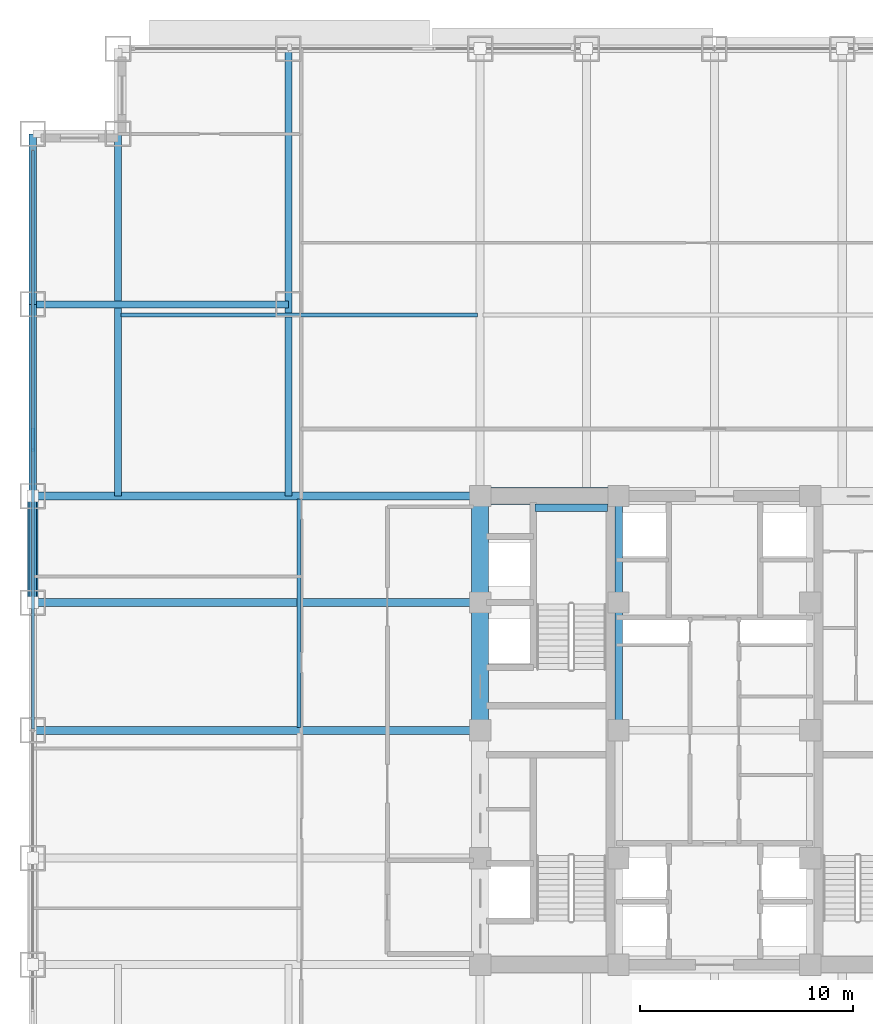
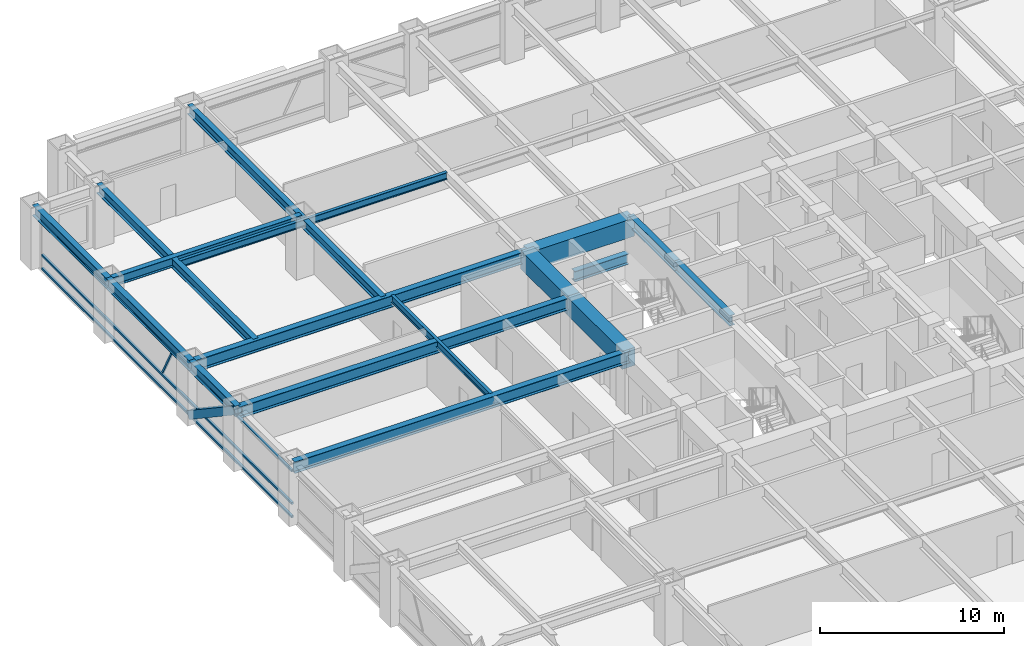
# One storey, part 9 of 32: 17 beams, 5 members, 1 element without a shape of its own.
"""IFC4 building model written with IfcOpenShell, lengths in metres."""

from ifc_helpers import new_model, si_unit, direction, frame, origin, origin_2d, place, context, subcontext, project, spatial, rectangle, hollow_rectangle, i_section, extrude, source, transform, mapped, material, material_profile, profile_set, type_object, element, aggregate, save


model = new_model("IFC4")

# Units and contexts
model_context = context("Model", 3, precision=1e-05, world=origin(), true_north=direction((0.0, 1.0)))
body_context = subcontext(model_context, "Body", "Model", "MODEL_VIEW")
ifc_project = project(units=[si_unit("LENGTHUNIT", "METRE"), si_unit("AREAUNIT", "SQUARE_METRE"), si_unit("VOLUMEUNIT", "CUBIC_METRE"), si_unit("PLANEANGLEUNIT", "RADIAN"), si_unit("MASSUNIT", "GRAM", prefix="KILO")], contexts=[model_context])

# Site, building, storey
site_placement = place(None, origin())
site = spatial("IfcSite", under=ifc_project, at=site_placement, CompositionType="ELEMENT")
building_placement = place(site_placement, origin())
building = spatial("IfcBuilding", under=site, at=building_placement, Name="Khorayat Bourse Tower", CompositionType="ELEMENT")
storey_placement = place(building_placement, frame((0.0, 0.0, 99.60009765625)))
storey = spatial("IfcBuildingStorey", under=building, at=storey_placement, Name="L22", CompositionType="ELEMENT", Elevation=99.60009765625)

# Beams
ifc_material_1 = material(Name="Concrete C72/90", Category="concrete")
ifc_material_profile_1 = material_profile(ifc_material_1, rectangle(XDim=0.800048828125, YDim=1.199951171875, at=origin_2d()), Name="RC 800x1200")
ifc_profile_set_1 = profile_set([ifc_material_profile_1], Name="Concrete C72/90")
beam_type_1 = type_object("IfcBeamType", Name="BM-COUP-1200", PredefinedType="BEAM", material=ifc_profile_set_1)
shared_shape_1 = source(origin(), body_context, "Body", "SweptSolid", [
    extrude(rectangle(XDim=0.800048828125, YDim=1.199951171875, at=origin_2d()), origin(), (0.0, 0.0, 1.0), 5.0),
])
beam_1_placement = place(storey_placement, frame((-11.0, 6.0, 3.239990234375), z_axis=(0.0, 1.0, 0.0), x_axis=(-1.0, 0.0, 0.0)))
element("IfcBeam", 1, at=beam_1_placement, inside=storey, type_object=beam_type_1, Name="L22 BM-COUP-1200 BM-L22-CRX-04", PredefinedType="BEAM", context=body_context, shape_type="MappedRepresentation", body=[
    mapped(shared_shape_1, transform((0.0, 0.0, 0.0), scale=1.0)),
])
shared_shape_2 = source(origin(), body_context, "Body", "SweptSolid", [
    extrude(rectangle(XDim=0.800048828125, YDim=1.199951171875, at=origin_2d()), origin(), (0.0, 0.0, 1.0), 6.0),
])
beam_2_placement = place(storey_placement, frame((-11.0, 0.0, 3.239990234375), z_axis=(0.0, 1.0, 0.0), x_axis=(-1.0, 0.0, 0.0)))
element("IfcBeam", 2, at=beam_2_placement, inside=storey, type_object=beam_type_1, Name="L22 BM-COUP-1200 BM-L22-CRX-03", PredefinedType="BEAM", context=body_context, shape_type="MappedRepresentation", body=[
    mapped(shared_shape_2, transform((0.0, 0.0, 0.0), scale=1.0)),
])
ifc_material_2 = material(Name="Steel ASTM A992 Grade 50", Category="steel")
ifc_material_profile_2 = material_profile(ifc_material_2, i_section(OverallWidth=0.35498046875, OverallDepth=0.695068359375, WebThickness=0.015380859375, FlangeThickness=0.02490234375, FilletRadius=0.01806640625, at=origin_2d()), Name="W690X217")
ifc_profile_set_2 = profile_set([ifc_material_profile_2], Name="Steel ASTM A992 Grade 50")
beam_type_2 = type_object("IfcBeamType", Name="BM-GIRD-690", PredefinedType="BEAM", material=ifc_profile_set_2)
shared_shape_3 = source(origin(), body_context, "Body", "SweptSolid", [
    extrude(i_section(OverallWidth=0.35498046875, OverallDepth=0.695068359375, WebThickness=0.015380859375, FlangeThickness=0.02490234375, FilletRadius=0.01806640625, at=origin_2d()), origin(), (0.0, 0.0, 1.0), 5.0),
])
beam_3_placement = place(storey_placement, frame((-4.5, 6.0, 3.492431640625), z_axis=(0.0, 1.0, 0.0), x_axis=(-1.0, 0.0, 0.0)))
element("IfcBeam", 3, at=beam_3_placement, inside=storey, type_object=beam_type_2, Name="L22 BM-GIRD-690 BM-L22-CRX-08", PredefinedType="BEAM", context=body_context, shape_type="MappedRepresentation", body=[
    mapped(shared_shape_3, transform((0.0, 0.0, 0.0), scale=1.0)),
])
shared_shape_4 = source(origin(), body_context, "Body", "SweptSolid", [
    extrude(i_section(OverallWidth=0.35498046875, OverallDepth=0.695068359375, WebThickness=0.015380859375, FlangeThickness=0.02490234375, FilletRadius=0.01806640625, at=origin_2d()), origin(), (0.0, 0.0, 1.0), 6.0),
])
beam_4_placement = place(storey_placement, frame((-4.5, 0.0, 3.492431640625), z_axis=(0.0, 1.0, 0.0), x_axis=(-1.0, 0.0, 0.0)))
element("IfcBeam", 4, at=beam_4_placement, inside=storey, type_object=beam_type_2, Name="L22 BM-GIRD-690 BM-L22-CRX-07", PredefinedType="BEAM", context=body_context, shape_type="MappedRepresentation", body=[
    mapped(shared_shape_4, transform((0.0, 0.0, 0.0), scale=1.0)),
])
shared_shape_5 = source(origin(), body_context, "Body", "SweptSolid", [
    extrude(rectangle(XDim=0.800048828125, YDim=1.199951171875, at=origin_2d()), origin(), (0.0, 0.0, 1.0), 6.5),
])
beam_5_placement = place(storey_placement, frame((-11.0, 11.0, 3.239990234375), z_axis=(1.0, 0.0, 0.0), x_axis=(0.0, 1.0, 0.0)))
element("IfcBeam", 5, at=beam_5_placement, inside=storey, type_object=beam_type_1, Name="L22 BM-COUP-1200 BM-L22-CRY-20", PredefinedType="BEAM", context=body_context, shape_type="MappedRepresentation", body=[
    mapped(shared_shape_5, transform((0.0, 0.0, 0.0), scale=1.0)),
])
shared_shape_6 = source(origin(), body_context, "Body", "SweptSolid", [
    extrude(i_section(OverallWidth=0.35498046875, OverallDepth=0.695068359375, WebThickness=0.015380859375, FlangeThickness=0.02490234375, FilletRadius=0.01806640625, at=origin_2d()), origin(), (0.0, 0.0, 1.0), 3.39990234375),
])
beam_6_placement = place(storey_placement, frame((-8.419921875, 10.449951171875, 1.50244140625), z_axis=(1.0, 0.0, 0.0), x_axis=(0.0, 1.0, 0.0)))
element("IfcBeam", 6, at=beam_6_placement, inside=storey, type_object=beam_type_2, Name="L22 BM-GIRD-690 BM-L22-ST2L", PredefinedType="BEAM", context=body_context, shape_type="MappedRepresentation", body=[
    mapped(shared_shape_6, transform((0.0, 0.0, 0.0), scale=1.0)),
])
ifc_material_profile_3 = material_profile(ifc_material_2, i_section(OverallWidth=0.35498046875, OverallDepth=0.695068359375, WebThickness=0.015380859375, FlangeThickness=0.02490234375, FilletRadius=0.01806640625, at=origin_2d()), Name="W690X217")
ifc_profile_set_3 = profile_set([ifc_material_profile_3], Name="Steel ASTM A992 Grade 50")
beam_type_3 = type_object("IfcBeamType", Name="BM-SPAN-690", PredefinedType="SPANDREL", material=ifc_profile_set_3)
shared_shape_7 = source(origin(), body_context, "Body", "SweptSolid", [
    extrude(i_section(OverallWidth=0.35498046875, OverallDepth=0.695068359375, WebThickness=0.015380859375, FlangeThickness=0.02490234375, FilletRadius=0.01806640625, at=origin_2d()), origin(), (0.0, 0.0, 1.0), 9.0),
])
beam_7_placement = place(storey_placement, frame((-32.0, 11.0, 3.492431640625), z_axis=(0.0, 1.0, 0.0), x_axis=(-1.0, 0.0, 0.0)))
element("IfcBeam", 7, at=beam_7_placement, inside=storey, type_object=beam_type_3, Name="L22 BM-SPAN-690 BM-L22-SPN-055", PredefinedType="SPANDREL", context=body_context, shape_type="MappedRepresentation", body=[
    mapped(shared_shape_7, transform((0.0, 0.0, 0.0), scale=1.0)),
])
shared_shape_8 = source(origin(), body_context, "Body", "SweptSolid", [
    extrude(i_section(OverallWidth=0.35498046875, OverallDepth=0.695068359375, WebThickness=0.015380859375, FlangeThickness=0.02490234375, FilletRadius=0.01806640625, at=origin_2d()), origin(), (0.0, 0.0, 1.0), 5.0),
])
beam_8_placement = place(storey_placement, frame((-32.0, 6.0, 3.492431640625), z_axis=(0.0, 1.0, 0.0), x_axis=(-1.0, 0.0, 0.0)))
element("IfcBeam", 8, at=beam_8_placement, inside=storey, type_object=beam_type_3, Name="L22 BM-SPAN-690 BM-L22-SPN-056", PredefinedType="SPANDREL", context=body_context, shape_type="MappedRepresentation", body=[
    mapped(shared_shape_8, transform((0.0, 0.0, 0.0), scale=1.0)),
])
ifc_material_profile_4 = material_profile(ifc_material_2, i_section(OverallWidth=0.324951171875, OverallDepth=0.615966796875, WebThickness=0.013916015625, FlangeThickness=0.021484375, FilletRadius=0.01611328125, at=origin_2d()), Name="W610X174")
ifc_profile_set_4 = profile_set([ifc_material_profile_4], Name="Steel ASTM A992 Grade 50")
beam_type_4 = type_object("IfcBeamType", Name="BM-GIRD-610", PredefinedType="BEAM", material=ifc_profile_set_4)
shared_shape_9 = source(origin(), body_context, "Body", "SweptSolid", [
    extrude(i_section(OverallWidth=0.324951171875, OverallDepth=0.615966796875, WebThickness=0.013916015625, FlangeThickness=0.021484375, FilletRadius=0.01611328125, at=origin_2d()), origin(), (0.0, 0.0, 1.0), 21.0),
])
beam_9_placement = place(storey_placement, frame((-20.0, 11.0, 3.531982421875), z_axis=(0.0, 1.0, 0.0), x_axis=(-1.0, 0.0, 0.0)))
element("IfcBeam", 9, at=beam_9_placement, inside=storey, type_object=beam_type_4, Name="L22 BM-GIRD-610 BM-L22-CNRY-085", PredefinedType="BEAM", context=body_context, shape_type="MappedRepresentation", body=[
    mapped(shared_shape_9, transform((0.0, 0.0, 0.0), scale=1.0)),
])
shared_shape_10 = source(origin(), body_context, "Body", "SweptSolid", [
    extrude(i_section(OverallWidth=0.324951171875, OverallDepth=0.615966796875, WebThickness=0.013916015625, FlangeThickness=0.021484375, FilletRadius=0.01611328125, at=origin_2d()), origin(), (0.0, 0.0, 1.0), 12.0),
])
beam_10_placement = place(storey_placement, frame((-32.0, 20.0, 3.531982421875), z_axis=(1.0, 0.0, 0.0), x_axis=(0.0, 1.0, 0.0)))
element("IfcBeam", 10, at=beam_10_placement, inside=storey, type_object=beam_type_4, Name="L22 BM-GIRD-610 BM-L22-CNRX-095", PredefinedType="BEAM", context=body_context, shape_type="MappedRepresentation", body=[
    mapped(shared_shape_10, transform((0.0, 0.0, 0.0), scale=1.0)),
])
ifc_material_profile_5 = material_profile(ifc_material_2, i_section(OverallWidth=0.194091796875, OverallDepth=0.468994140625, WebThickness=0.0126953125, FlangeThickness=0.0205078125, FilletRadius=0.012939453125, at=origin_2d()), Name="W460X106")
ifc_profile_set_5 = profile_set([ifc_material_profile_5], Name="Steel ASTM A992 Grade 50")
beam_type_5 = type_object("IfcBeamType", Name="BM-JOIST-460", PredefinedType="JOIST", material=ifc_profile_set_5)
shared_shape_11 = source(origin(), body_context, "Body", "SweptSolid", [
    extrude(i_section(OverallWidth=0.194091796875, OverallDepth=0.468994140625, WebThickness=0.0126953125, FlangeThickness=0.0205078125, FilletRadius=0.012939453125, at=origin_2d()), origin(), (0.0, 0.0, 1.0), 10.740234375),
])
beam_11_placement = place(storey_placement, frame((-19.5, 0.1298828125, 3.60546875), z_axis=(0.0, 1.0, 0.0), x_axis=(-1.0, 0.0, 0.0)))
element("IfcBeam", 11, at=beam_11_placement, inside=storey, type_object=beam_type_5, Name="L22 BM-JOIST-460 BM-L22-JSTY-103", PredefinedType="JOIST", context=body_context, shape_type="MappedRepresentation", body=[
    mapped(shared_shape_11, transform((0.0, 0.0, 0.0), scale=1.0)),
])
shared_shape_12 = source(origin(), body_context, "Body", "SweptSolid", [
    extrude(i_section(OverallWidth=0.35498046875, OverallDepth=0.695068359375, WebThickness=0.015380859375, FlangeThickness=0.02490234375, FilletRadius=0.01806640625, at=origin_2d()), origin(), (0.0, 0.0, 1.0), 8.0),
])
beam_12_placement = place(storey_placement, frame((-32.0, 20.0, 3.492431640625), z_axis=(0.0, 1.0, 0.0), x_axis=(-1.0, 0.0, 0.0)))
element("IfcBeam", 12, at=beam_12_placement, inside=storey, type_object=beam_type_3, Name="L22 BM-SPAN-690 BM-L22-SPN-054", PredefinedType="SPANDREL", context=body_context, shape_type="MappedRepresentation", body=[
    mapped(shared_shape_12, transform((0.0, 0.0, 0.0), scale=1.0)),
])
ifc_material_profile_6 = material_profile(ifc_material_2, i_section(OverallWidth=0.381103515625, OverallDepth=0.77294921875, WebThickness=0.0166015625, FlangeThickness=0.027587890625, FilletRadius=0.01806640625, at=origin_2d()), Name="W760X257")
ifc_profile_set_6 = profile_set([ifc_material_profile_6], Name="Steel ASTM A992 Grade 50")
beam_type_6 = type_object("IfcBeamType", Name="BM-GIRD-760", PredefinedType="BEAM", material=ifc_profile_set_6)
shared_shape_13 = source(origin(), body_context, "Body", "SweptSolid", [
    extrude(i_section(OverallWidth=0.381103515625, OverallDepth=0.77294921875, WebThickness=0.0166015625, FlangeThickness=0.027587890625, FilletRadius=0.01806640625, at=origin_2d()), origin(), (0.0, 0.0, 1.0), 21.0),
])
for number, where, z_axis, x_axis, name in (
    (13, (-32.0, 0.0, 3.453369140625), (1.0, 0.0, 0.0), (0.0, 1.0, 0.0), "L22 BM-GIRD-760 BM-L22-RADX-079"),
    (14, (-32.0, 6.0, 3.453369140625), (1.0, 0.0, 0.0), (0.0, 1.0, 0.0), "L22 BM-GIRD-760 BM-L22-RADX-081"),
    (15, (-32.0, 11.0, 3.453369140625), (1.0, 0.0, 0.0), (0.0, 1.0, 0.0), "L22 BM-GIRD-760 BM-L22-RADX-083"),
):
    element("IfcBeam", number, at=place(storey_placement, frame(where, z_axis=z_axis, x_axis=x_axis)), inside=storey, type_object=beam_type_6, Name=name, PredefinedType="BEAM", context=body_context, shape_type="MappedRepresentation", body=[
        mapped(shared_shape_13, transform((0.0, 0.0, 0.0), scale=1.0)),
    ])
shared_shape_14 = source(origin(), body_context, "Body", "SweptSolid", [
    extrude(i_section(OverallWidth=0.324951171875, OverallDepth=0.615966796875, WebThickness=0.013916015625, FlangeThickness=0.021484375, FilletRadius=0.01611328125, at=origin_2d()), origin(), (0.0, 0.0, 1.0), 17.0),
])
beam_13_placement = place(storey_placement, frame((-28.0, 11.0, 3.531982421875), z_axis=(0.0, 1.0, 0.0), x_axis=(-1.0, 0.0, 0.0)))
element("IfcBeam", 16, at=beam_13_placement, inside=storey, type_object=beam_type_4, Name="L22 BM-GIRD-610 BM-L22-CNRY-089", PredefinedType="BEAM", context=body_context, shape_type="MappedRepresentation", body=[
    mapped(shared_shape_14, transform((0.0, 0.0, 0.0), scale=1.0)),
])
shared_shape_15 = source(origin(), body_context, "Body", "SweptSolid", [
    extrude(i_section(OverallWidth=0.194091796875, OverallDepth=0.468994140625, WebThickness=0.0126953125, FlangeThickness=0.0205078125, FilletRadius=0.012939453125, at=origin_2d()), origin(), (0.0, 0.0, 1.0), 16.740234375),
])
beam_14_placement = place(storey_placement, frame((-27.8701171875, 19.5, 3.60546875), z_axis=(1.0, 0.0, 0.0), x_axis=(0.0, 1.0, 0.0)))
element("IfcBeam", 17, at=beam_14_placement, inside=storey, type_object=beam_type_5, Name="L22 BM-JOIST-460 BM-L22-JSTX-099", PredefinedType="JOIST", context=body_context, shape_type="MappedRepresentation", body=[
    mapped(shared_shape_15, transform((0.0, 0.0, 0.0), scale=1.0)),
])

# Member
ifc_material_3 = material(Name="Steel EN 10025-4 S460M", Category="steel")
ifc_material_profile_7 = material_profile(ifc_material_3, hollow_rectangle(XDim=0.5, YDim=0.5, WallThickness=0.028076171875, at=origin_2d()), Name="HSS 500x500x28")
ifc_profile_set_7 = profile_set([ifc_material_profile_7], Name="Steel EN 10025-4 S460M")
member_type_1 = type_object("IfcMemberType", Name="MBR-TUBE-500", PredefinedType="BRACE", material=ifc_profile_set_7)
shared_shape_16 = source(origin(), body_context, "Body", "SweptSolid", [
    extrude(hollow_rectangle(XDim=0.5, YDim=0.5, WallThickness=0.028076171875, at=origin_2d()), origin(), (0.0, 0.0, 1.0), 6.012939453125),
])
member_1_placement = place(storey_placement, frame((-32.0, 6.0, 3.58984375), z_axis=(0.0, 0.831550226979, -0.555449565677), x_axis=(-1.0, 0.0, 0.0)))
element("IfcMember", 18, at=member_1_placement, inside=storey, type_object=member_type_1, Name="L22 Perimeter Tube Brace 06", PredefinedType="BRACE", context=body_context, shape_type="MappedRepresentation", body=[
    mapped(shared_shape_16, transform((0.0, 0.0, 0.0), scale=1.0)),
])

# Curtain wall, members
ifc_material_4 = material(Name="Aluminium EN AW-6063 T6", Category="aluminium")
curtain_wall_type = type_object("IfcCurtainWallType", Name="CW-SYS-02", PredefinedType="NOTDEFINED", material=ifc_material_4)
curtain_wall_placement = place(storey_placement, origin())
curtain_wall = element("IfcCurtainWall", 19, at=curtain_wall_placement, inside=storey, type_object=curtain_wall_type, Name="L22 Curtain Wall CW-L22-W1", PredefinedType="NOTDEFINED")
ifc_material_profile_8 = material_profile(ifc_material_4, hollow_rectangle(XDim=0.139892578125, YDim=0.139892578125, WallThickness=0.006103515625, at=origin_2d()), Name="ALU 140x140x6")
ifc_profile_set_8 = profile_set([ifc_material_profile_8], Name="Aluminium EN AW-6063 T6")
member_type_2 = type_object("IfcMemberType", Name="CWT-HORZ-140", PredefinedType="USERDEFINED", material=ifc_profile_set_8)
shared_shape_17 = source(origin(), body_context, "Body", "SweptSolid", [
    extrude(hollow_rectangle(XDim=0.139892578125, YDim=0.139892578125, WallThickness=0.006103515625, at=origin_2d()), origin(), (0.0, 0.0, 1.0), 27.139892578125),
])
member_2_placement = place(storey_placement, frame((-32.0, 0.070068359375, 0.06982421875), z_axis=(0.0, 1.0, 0.0), x_axis=(-1.0, 0.0, 0.0)))
member_2 = element("IfcMember", 20, at=member_2_placement, type_object=member_type_2, Name="CW-L22-W1 Horizontal Transom 2-1", ObjectType="TRANSOM", PredefinedType="USERDEFINED", context=body_context, shape_type="MappedRepresentation", body=[
    mapped(shared_shape_17, transform((0.0, 0.0, 0.0), scale=1.0)),
])
member_3_placement = place(storey_placement, frame((-32.0, 0.070068359375, 0.949951171875), z_axis=(0.0, 1.0, 0.0), x_axis=(-1.0, 0.0, 0.0)))
member_3 = element("IfcMember", 21, at=member_3_placement, type_object=member_type_2, Name="CW-L22-W1 Horizontal Transom 2-2", ObjectType="TRANSOM", PredefinedType="USERDEFINED", context=body_context, shape_type="MappedRepresentation", body=[
    mapped(shared_shape_17, transform((0.0, 0.0, 0.0), scale=1.0)),
])
member_4_placement = place(storey_placement, frame((-32.0, 0.070068359375, 3.119873046875), z_axis=(0.0, 1.0, 0.0), x_axis=(-1.0, 0.0, 0.0)))
member_4 = element("IfcMember", 22, at=member_4_placement, type_object=member_type_2, Name="CW-L22-W1 Horizontal Transom 2-3", ObjectType="TRANSOM", PredefinedType="USERDEFINED", context=body_context, shape_type="MappedRepresentation", body=[
    mapped(shared_shape_17, transform((0.0, 0.0, 0.0), scale=1.0)),
])
ifc_material_profile_9 = material_profile(ifc_material_4, hollow_rectangle(XDim=0.1201171875, YDim=0.1201171875, WallThickness=0.0048828125, at=origin_2d()), Name="ALU 120x120x5")
ifc_profile_set_9 = profile_set([ifc_material_profile_9], Name="Aluminium EN AW-6063 T6")
member_type_3 = type_object("IfcMemberType", Name="CWM-DIAG-120", PredefinedType="MULLION", material=ifc_profile_set_9)
shared_shape_18 = source(origin(), body_context, "Body", "SweptSolid", [
    extrude(hollow_rectangle(XDim=0.1201171875, YDim=0.1201171875, WallThickness=0.0048828125, at=origin_2d()), origin(), (0.0, 0.0, 1.0), 2.11328125),
])
member_5_placement = place(storey_placement, frame((-32.0, 14.132080078125, 1.099853515625), z_axis=(0.0, -0.465694055905, 0.884945787207), x_axis=(1.0, 0.0, 0.0)))
member_5 = element("IfcMember", 23, at=member_5_placement, type_object=member_type_3, Name="CW-L22-W1 Faceted Diagonal Mullion 2", PredefinedType="MULLION", context=body_context, shape_type="MappedRepresentation", body=[
    mapped(shared_shape_18, transform((0.0, 0.0, 0.0), scale=1.0)),
])
aggregate(curtain_wall, [member_2, member_3, member_4, member_5])

save(model, "model.ifc")
